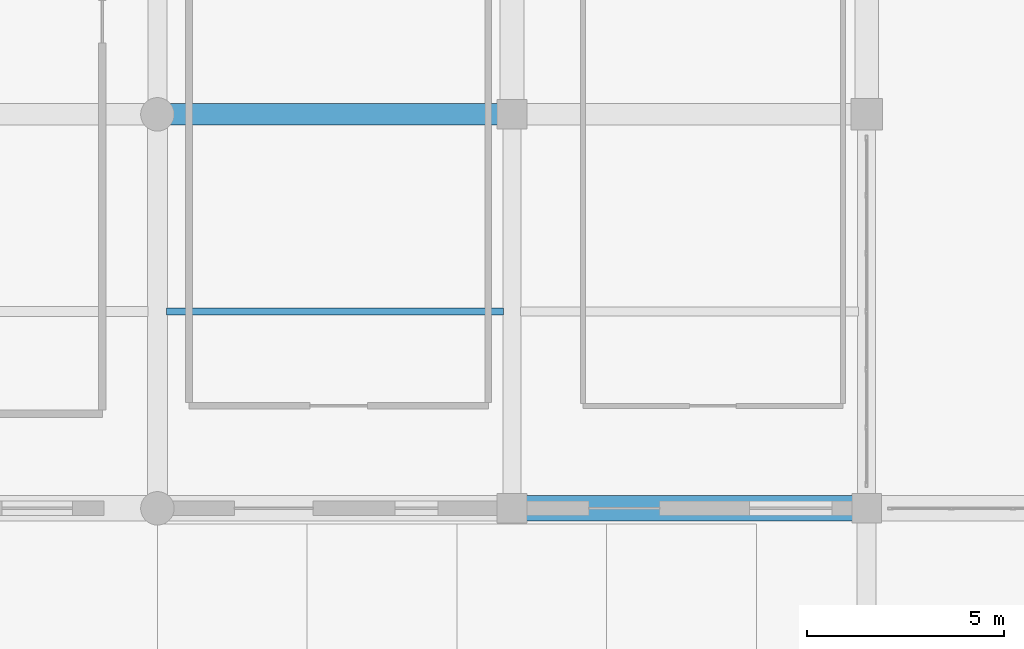
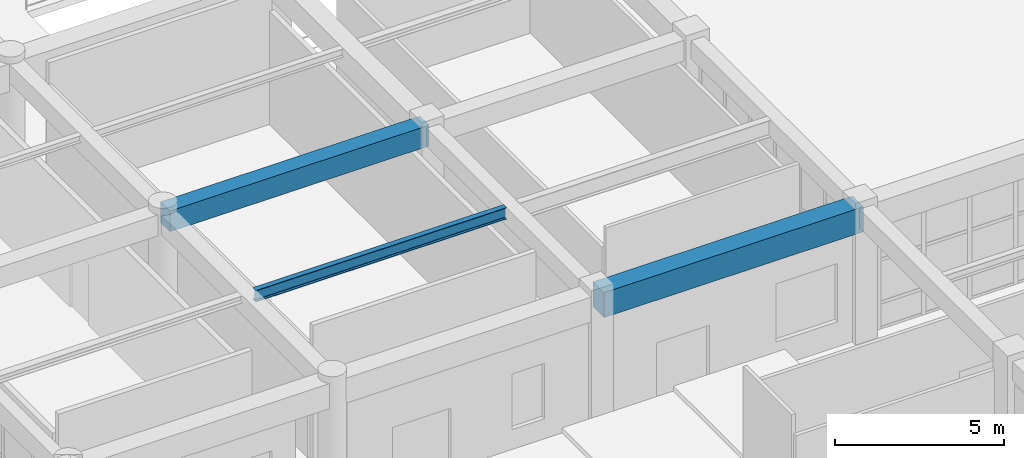
# One storey, part 52 of 128: 3 beams.
"""IFC4 building model written with IfcOpenShell, lengths in metres."""

from ifc_helpers import new_model, si_unit, direction, frame, origin, origin_2d, place, context, subcontext, project, spatial, rectangle, i_section, extrude, material, material_profile, profile_set, type_object, element, save


model = new_model("IFC4")

# Units and contexts
model_context = context("Model", 3, precision=1e-05, world=origin(), true_north=direction((0.0, 1.0)))
body_context = subcontext(model_context, "Body", "Model", "MODEL_VIEW")
ifc_project = project(units=[si_unit("LENGTHUNIT", "METRE"), si_unit("AREAUNIT", "SQUARE_METRE"), si_unit("VOLUMEUNIT", "CUBIC_METRE"), si_unit("PLANEANGLEUNIT", "RADIAN"), si_unit("MASSUNIT", "GRAM", prefix="KILO")], contexts=[model_context])

# Site, building, storey
site_placement = place(None, origin())
site = spatial("IfcSite", under=ifc_project, at=site_placement, CompositionType="ELEMENT")
building_placement = place(site_placement, origin())
building = spatial("IfcBuilding", under=site, at=building_placement, Name="Miravela Opera House", CompositionType="ELEMENT")
storey_placement = place(building_placement, origin())
storey = spatial("IfcBuildingStorey", under=building, at=storey_placement, Name="L00", CompositionType="ELEMENT", Elevation=0.0)

# Beams
ifc_material_1 = material(Name="Concrete C35/45", Category="concrete")
ifc_material_profile_1 = material_profile(ifc_material_1, rectangle(XDim=0.550048828125, YDim=0.75, at=origin_2d()), Name="RC-BM-550X750")
ifc_profile_set_1 = profile_set([ifc_material_profile_1])
beam_type_1 = type_object("IfcBeamType", Name="STR-BM-RC550X750", PredefinedType="BEAM", material=ifc_profile_set_1)
beam_1_placement = place(storey_placement, frame((9.080078125, 94.0, 4.47509765625), z_axis=(1.0, 0.0, 0.0), x_axis=(0.0, 1.0, 0.0)))
element("IfcBeam", 1, at=beam_1_placement, inside=storey, type_object=beam_type_1, Name="Floor Girder L00 2-3/K", PredefinedType="BEAM", context=body_context, shape_type="SweptSolid", body=[
    extrude(rectangle(XDim=0.550048828125, YDim=0.75, at=origin_2d()), origin(), (0.0, 0.0, 1.0), 8.83984375),
])
ifc_material_2 = material(Name="Concrete C40/50", Category="concrete")
ifc_material_profile_2 = material_profile(ifc_material_2, rectangle(XDim=0.64990234375, YDim=0.89990234375, at=origin_2d()), Name="RC-BM-650X900")
ifc_profile_set_2 = profile_set([ifc_material_profile_2])
beam_type_2 = type_object("IfcBeamType", Name="STR-BM-RC650X900", PredefinedType="BEAM", material=ifc_profile_set_2)
beam_2_placement = place(storey_placement, frame((18.080078125, 84.0, 4.39990234375), z_axis=(1.0, 0.0, 0.0), x_axis=(0.0, 1.0, 0.0)))
element("IfcBeam", 2, at=beam_2_placement, inside=storey, type_object=beam_type_2, Name="Floor Girder L00 3-4/J", PredefinedType="BEAM", context=body_context, shape_type="SweptSolid", body=[
    extrude(rectangle(XDim=0.64990234375, YDim=0.89990234375, at=origin_2d()), origin(), (0.0, 0.0, 1.0), 8.83984375),
])
ifc_material_3 = material(Name="Structural steel ASTM A992 Gr. 50", Category="steel")
ifc_material_profile_3 = material_profile(ifc_material_3, i_section(OverallWidth=0.180908203125, OverallDepth=0.4169921875, WebThickness=0.010986328125, FlangeThickness=0.018310546875, FilletRadius=0.013916015625, at=origin_2d()), Name="W410X85")
ifc_profile_set_3 = profile_set([ifc_material_profile_3])
beam_type_3 = type_object("IfcBeamType", Name="STR-BM-W410X85", PredefinedType="JOIST", material=ifc_profile_set_3)
beam_3_placement = place(storey_placement, frame((9.235107421875, 89.0, 4.6416015625), z_axis=(1.0, 0.0, 0.0), x_axis=(0.0, 1.0, 0.0)))
element("IfcBeam", 3, at=beam_3_placement, inside=storey, type_object=beam_type_3, Name="Secondary Floor Joist L00 2-3/J-K", PredefinedType="JOIST", context=body_context, shape_type="SweptSolid", body=[
    extrude(i_section(OverallWidth=0.180908203125, OverallDepth=0.4169921875, WebThickness=0.010986328125, FlangeThickness=0.018310546875, FilletRadius=0.013916015625, at=origin_2d()), origin(), (0.0, 0.0, 1.0), 8.554931640625),
])

save(model, "model.ifc")
